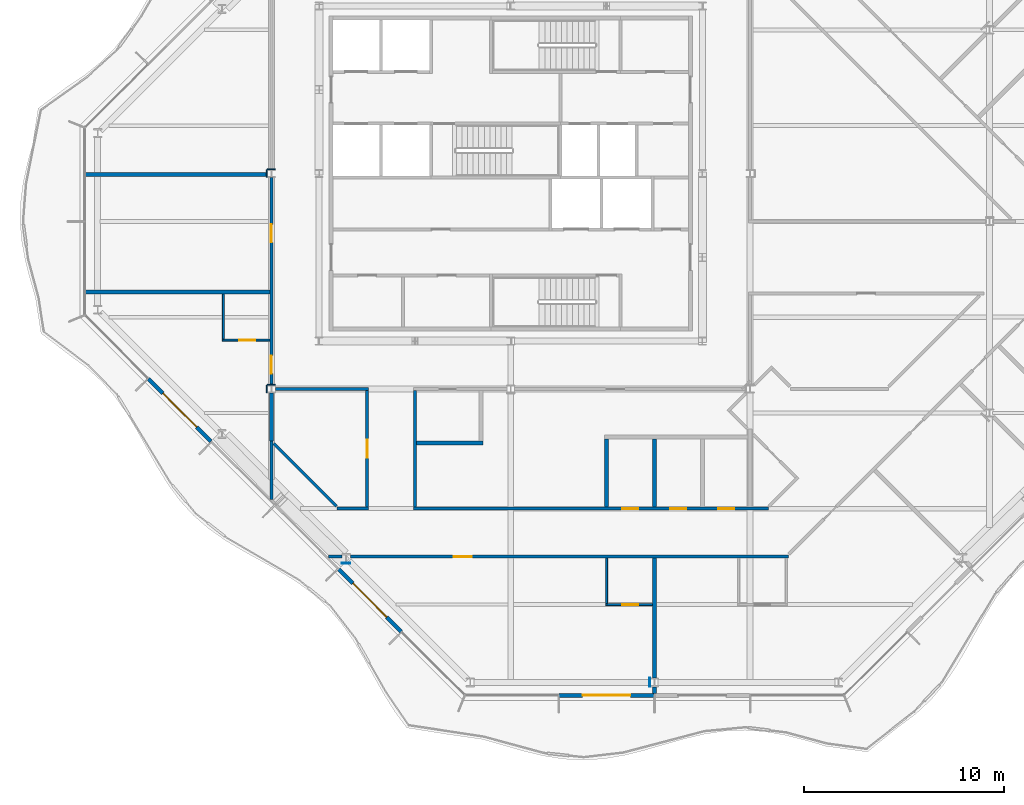
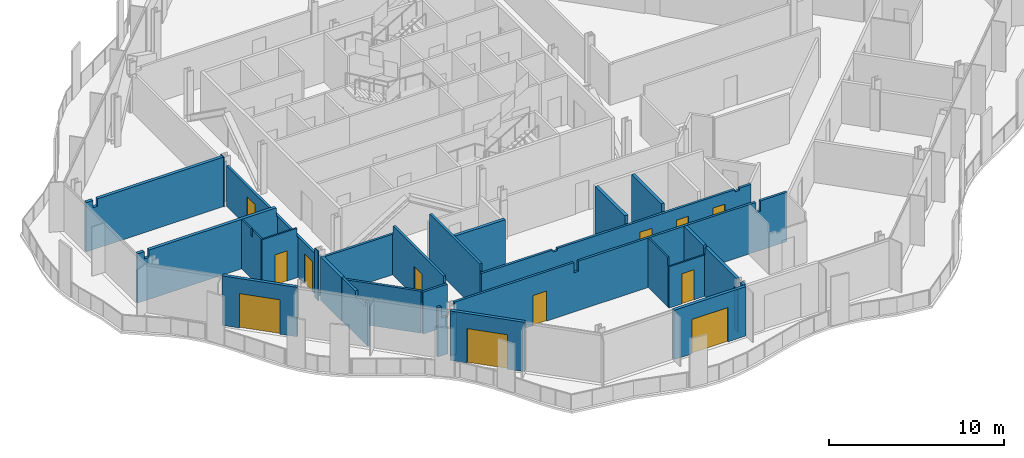
# One storey, part 7 of 17: 31 walls, 12 doors, 12 openings.
"""IFC4 building model written with IfcOpenShell, lengths in metres."""

from ifc_helpers import new_model, si_unit, direction, frame, frame_2d, origin, place, context, subcontext, project, spatial, polyline, rectangle, outline, extrude, material, layer, layer_set, type_object, element, fill, save


model = new_model("IFC4")

# Units and contexts
model_context = context("Model", 3, precision=1e-05, world=origin(), true_north=direction((0.0, 1.0)))
body_context = subcontext(model_context, "Body", "Model", "MODEL_VIEW")
ifc_project = project(units=[si_unit("LENGTHUNIT", "METRE"), si_unit("AREAUNIT", "SQUARE_METRE"), si_unit("VOLUMEUNIT", "CUBIC_METRE"), si_unit("PLANEANGLEUNIT", "RADIAN"), si_unit("MASSUNIT", "GRAM", prefix="KILO")], contexts=[model_context])

# Site, building, storey
site_placement = place(None, origin())
site = spatial("IfcSite", under=ifc_project, at=site_placement, CompositionType="ELEMENT")
building_placement = place(site_placement, origin())
building = spatial("IfcBuilding", under=site, at=building_placement, Name="Cairn Pilgrim Tower", CompositionType="ELEMENT")
storey_placement = place(building_placement, frame((0.0, 0.0, 217.800048828125)))
storey = spatial("IfcBuildingStorey", under=building, at=storey_placement, Name="L55", CompositionType="ELEMENT", Elevation=217.800048828125)

# Wall, opening, door
ifc_material_1 = material(Name="Bronze anodised aluminium insulated sandwich panel with mineral wool fill", Category="aluminium")
ifc_layer_1 = layer(ifc_material_1, 0.199951171875)
ifc_layer_set_1 = layer_set([ifc_layer_1], Name="BRONZE INFILL FRAME WALL 200")
wall_type_1 = type_object("IfcWallType", Name="BRONZE INFILL FRAME WALL 200", PredefinedType="NOTDEFINED", material=ifc_layer_set_1)
wall_1_placement = place(storey_placement, frame((9.6298828125, -23.75, 0.0), z_axis=(0.0, 0.0, 1.0), x_axis=(1.0, 0.0, 0.0)))
wall_1 = element("IfcWall", 1, at=wall_1_placement, inside=storey, type_object=wall_type_1, Name="Bronze infill frame wall IW-S2", PredefinedType="NOTDEFINED", context=body_context, shape_type="SweptSolid", body=[
    extrude(rectangle(XDim=4.740234375, YDim=0.199951171875, at=frame_2d((2.3701171875, 0.0))), origin(), (0.0, 0.0, 1.0), 3.449951171875),
])
opening_1_placement = place(wall_1_placement, frame((1.169921875, 0.0, 0.0)))
opening_1 = element("IfcOpeningElement", 2, at=opening_1_placement, cuts=wall_1, Name="Opening 5512B2", PredefinedType="OPENING", context=body_context, shape_type="SweptSolid", body=[
    extrude(rectangle(XDim=2.39990234375, YDim=2.39990234375, at=frame_2d((1.199951171875, 1.199951171875))), frame((0.0, 0.10986328125, 0.0), z_axis=(0.0, -1.0, 0.0), x_axis=(1.0, 0.0, 0.0)), (0.0, 0.0, 1.0), 0.219970703125),
])
ifc_material_2 = material(Name="Bronze anodised aluminium frame with tinted low-E glass", Category="aluminium")
door_type_1 = type_object("IfcDoorType", Name="BALCONY SLIDING DOOR 2400x2400", OperationType="DOUBLE_DOOR_SLIDING", PredefinedType="DOOR", material=ifc_material_2)
door_1_placement = place(opening_1_placement, origin())
door_1 = element("IfcDoor", 3, at=door_1_placement, inside=storey, type_object=door_type_1, Name="Balcony sliding door 5512B2", OperationType="SINGLE_SWING_LEFT", OverallHeight=2.39990234375, OverallWidth=2.39990234375, PredefinedType="DOOR", context=body_context, shape_type="SweptSolid", body=[
    extrude(rectangle(XDim=2.39990234375, YDim=2.39990234375, at=frame_2d((1.199951171875, 1.199951171875))), frame((0.0, 0.02490234375, 0.0), z_axis=(0.0, -1.0, 0.0), x_axis=(1.0, 0.0, 0.0)), (0.0, 0.0, 1.0), 0.050048828125),
])
fill(opening_1, door_1)

wall_2_placement = place(storey_placement, frame((-10.953125, -7.893310546875, 0.0), z_axis=(0.0, 0.0, 1.0), x_axis=(0.707106781187, -0.707106781187, 0.0)))
wall_2 = element("IfcWall", 4, at=wall_2_placement, inside=storey, type_object=wall_type_1, Name="Bronze infill frame wall IW-SW2", PredefinedType="NOTDEFINED", context=body_context, shape_type="SweptSolid", body=[
    extrude(rectangle(XDim=4.430908203125, YDim=0.199951171875, at=frame_2d((2.21533203125, 0.0))), origin(), (0.0, 0.0, 1.0), 3.449951171875),
])
opening_2_placement = place(wall_2_placement, frame((1.015380859375, 0.0, 0.0)))
opening_2 = element("IfcOpeningElement", 5, at=opening_2_placement, cuts=wall_2, Name="Opening 5511B", PredefinedType="OPENING", context=body_context, shape_type="SweptSolid", body=[
    extrude(rectangle(XDim=2.39990234375, YDim=2.39990234375, at=frame_2d((1.199951171875, 1.199951171875))), frame((0.0, 0.10986328125, 0.0), z_axis=(0.0, -1.0, 0.0), x_axis=(1.0, 0.0, 0.0)), (0.0, 0.0, 1.0), 0.219970703125),
])
door_2_placement = place(opening_2_placement, origin())
door_2 = element("IfcDoor", 6, at=door_2_placement, inside=storey, type_object=door_type_1, Name="Balcony sliding door 5511B", OperationType="SINGLE_SWING_LEFT", OverallHeight=2.39990234375, OverallWidth=2.39990234375, PredefinedType="DOOR", context=body_context, shape_type="SweptSolid", body=[
    extrude(rectangle(XDim=2.39990234375, YDim=2.39990234375, at=frame_2d((1.199951171875, 1.199951171875))), frame((0.0, 0.02490234375, 0.0), z_axis=(0.0, -1.0, 0.0), x_axis=(1.0, 0.0, 0.0)), (0.0, 0.0, 1.0), 0.050048828125),
])
fill(opening_2, door_2)

wall_3_placement = place(storey_placement, frame((-1.426513671875, -17.419921875, 0.0), z_axis=(0.0, 0.0, 1.0), x_axis=(0.707106781187, -0.707106781187, 0.0)))
wall_3 = element("IfcWall", 7, at=wall_3_placement, inside=storey, type_object=wall_type_1, Name="Bronze infill frame wall IW-SW5", PredefinedType="NOTDEFINED", context=body_context, shape_type="SweptSolid", body=[
    extrude(rectangle(XDim=4.43115234375, YDim=0.199951171875, at=frame_2d((2.215576171875, 0.0))), origin(), (0.0, 0.0, 1.0), 3.449951171875),
])
opening_3_placement = place(wall_3_placement, frame((1.01513671875, 0.0, 0.0)))
opening_3 = element("IfcOpeningElement", 8, at=opening_3_placement, cuts=wall_3, Name="Opening 5512B", PredefinedType="OPENING", context=body_context, shape_type="SweptSolid", body=[
    extrude(rectangle(XDim=2.39990234375, YDim=2.39990234375, at=frame_2d((1.199951171875, 1.199951171875))), frame((0.0, 0.10986328125, 0.0), z_axis=(0.0, -1.0, 0.0), x_axis=(1.0, 0.0, 0.0)), (0.0, 0.0, 1.0), 0.219970703125),
])
door_3_placement = place(opening_3_placement, origin())
door_3 = element("IfcDoor", 9, at=door_3_placement, inside=storey, type_object=door_type_1, Name="Balcony sliding door 5512B", OperationType="SINGLE_SWING_LEFT", OverallHeight=2.39990234375, OverallWidth=2.39990234375, PredefinedType="DOOR", context=body_context, shape_type="SweptSolid", body=[
    extrude(rectangle(XDim=2.39990234375, YDim=2.39990234375, at=frame_2d((1.199951171875, 1.199951171875))), frame((0.0, 0.02490234375, 0.0), z_axis=(0.0, -1.0, 0.0), x_axis=(1.0, 0.0, 0.0)), (0.0, 0.0, 1.0), 0.050048828125),
])
fill(opening_3, door_3)

ifc_material_3 = material(Name="Gypsum partition")
ifc_layer_2 = layer(ifc_material_3, 0.10009765625)
ifc_layer_set_2 = layer_set([ifc_layer_2], Name="PARTITION 100 DRYWALL")
wall_type_2 = type_object("IfcWallType", Name="PARTITION 100 DRYWALL", PredefinedType="PARTITIONING", material=ifc_layer_set_2)
wall_4_placement = place(storey_placement, frame((11.949951171875, -19.199951171875, 0.0), z_axis=(0.0, 0.0, 1.0), x_axis=(1.0, 0.0, 0.0)))
wall_4 = element("IfcWall", 10, at=wall_4_placement, inside=storey, type_object=wall_type_2, Name="PARTITION W003", PredefinedType="PARTITIONING", context=body_context, shape_type="SweptSolid", body=[
    extrude(rectangle(XDim=2.35009765625, YDim=0.10009765625, at=frame_2d((1.175048828125, 0.0))), origin(), (0.0, 0.0, 1.0), 2.8798828125),
])
opening_4_placement = place(wall_4_placement, frame((0.85009765625, 0.0, 0.0)))
opening_4 = element("IfcOpeningElement", 11, at=opening_4_placement, cuts=wall_4, Name="Opening 5512A", PredefinedType="OPENING", context=body_context, shape_type="SweptSolid", body=[
    extrude(rectangle(XDim=0.800048828125, YDim=2.10009765625, at=frame_2d((0.39990234375, 1.050048828125))), frame((0.0, 0.06005859375, 0.0), z_axis=(0.0, -1.0, 0.0), x_axis=(1.0, 0.0, 0.0)), (0.0, 0.0, 1.0), 0.1201171875),
])
ifc_material_4 = material(Name="Timber door leaf", Category="wood")
door_type_2 = type_object("IfcDoorType", Name="WC DOOR 800x2100", OperationType="NOTDEFINED", PredefinedType="DOOR", material=ifc_material_4)
door_4_placement = place(opening_4_placement, frame((0.800048828125, 0.0, 0.0), z_axis=(0.0, 0.0, 1.0), x_axis=(-1.0, 0.0, 0.0)))
door_4 = element("IfcDoor", 12, at=door_4_placement, inside=storey, type_object=door_type_2, Name="DOOR 5512A", OperationType="SINGLE_SWING_RIGHT", OverallHeight=2.10009765625, OverallWidth=0.800048828125, PredefinedType="DOOR", context=body_context, shape_type="SweptSolid", body=[
    extrude(rectangle(XDim=0.800048828125, YDim=2.10009765625, at=frame_2d((0.39990234375, 1.050048828125))), frame((0.0, 0.02490234375, 0.0), z_axis=(0.0, -1.0, 0.0), x_axis=(1.0, 0.0, 0.0)), (0.0, 0.0, 1.0), 0.050048828125),
])
fill(opening_4, door_4)

# Wall
wall_5_placement = place(storey_placement, frame((12.0, -19.14990234375, 0.0), z_axis=(0.0, 0.0, 1.0), x_axis=(0.0, 1.0, 0.0)))
element("IfcWall", 13, at=wall_5_placement, inside=storey, type_object=wall_type_2, Name="PARTITION W005", PredefinedType="PARTITIONING", context=body_context, shape_type="SweptSolid", body=[
    extrude(outline(polyline([(0.0, 0.0), (2.27490234375, 0.0), (2.27490234375, 3.449951171875), (0.054931640625, 3.449951171875), (0.052978515625, 2.8798828125), (0.0, 2.8798828125), (0.0, 0.0)])), frame((0.0, 0.050048828125, 0.0), z_axis=(0.0, -1.0, 0.0), x_axis=(1.0, 0.0, 0.0)), (0.0, 0.0, 1.0), 0.10009765625),
])

# Wall, opening, door
wall_6_placement = place(storey_placement, frame((-7.25, -5.944091796875, 0.0), z_axis=(0.0, 0.0, 1.0), x_axis=(1.0, 0.0, 0.0)))
wall_6 = element("IfcWall", 14, at=wall_6_placement, inside=storey, type_object=wall_type_2, Name="PARTITION W044", PredefinedType="PARTITIONING", context=body_context, shape_type="SweptSolid", body=[
    extrude(outline(polyline([(0.0, 0.0), (2.375, 0.0), (2.375, 2.829833984375), (2.300048828125, 2.829833984375), (2.298095703125, 3.449951171875), (0.0, 3.449951171875), (0.0, 0.0)])), frame((0.0, 0.050048828125, 0.0), z_axis=(0.0, -1.0, 0.0), x_axis=(1.0, 0.0, 0.0)), (0.0, 0.0, 1.0), 0.10009765625),
])
opening_5_placement = place(wall_6_placement, frame((0.85009765625, 0.0, 0.0)))
opening_5 = element("IfcOpeningElement", 15, at=opening_5_placement, cuts=wall_6, Name="Opening 5511A", PredefinedType="OPENING", context=body_context, shape_type="SweptSolid", body=[
    extrude(rectangle(XDim=0.800048828125, YDim=2.10009765625, at=frame_2d((0.39990234375, 1.050048828125))), frame((0.0, 0.06005859375, 0.0), z_axis=(0.0, -1.0, 0.0), x_axis=(1.0, 0.0, 0.0)), (0.0, 0.0, 1.0), 0.1201171875),
])
door_5_placement = place(opening_5_placement, frame((0.800048828125, 0.0, 0.0), z_axis=(0.0, 0.0, 1.0), x_axis=(-1.0, 0.0, 0.0)))
door_5 = element("IfcDoor", 16, at=door_5_placement, inside=storey, type_object=door_type_2, Name="DOOR 5511A", OperationType="SINGLE_SWING_RIGHT", OverallHeight=2.10009765625, OverallWidth=0.800048828125, PredefinedType="DOOR", context=body_context, shape_type="SweptSolid", body=[
    extrude(rectangle(XDim=0.800048828125, YDim=2.10009765625, at=frame_2d((0.39990234375, 1.050048828125))), frame((0.0, 0.02490234375, 0.0), z_axis=(0.0, -1.0, 0.0), x_axis=(1.0, 0.0, 0.0)), (0.0, 0.0, 1.0), 0.050048828125),
])
fill(opening_5, door_5)

# Walls
wall_7_placement = place(storey_placement, frame((-7.199951171875, -5.89404296875, 0.0), z_axis=(0.0, 0.0, 1.0), x_axis=(0.0, 1.0, 0.0)))
element("IfcWall", 17, at=wall_7_placement, inside=storey, type_object=wall_type_2, Name="PARTITION W045", PredefinedType="PARTITIONING", context=body_context, shape_type="SweptSolid", body=[
    extrude(outline(polyline([(0.0, 0.0), (2.25, 0.0), (2.25, 3.449951171875), (1.18896484375, 3.449951171875), (1.18701171875, 2.97998046875), (0.9990234375, 2.97998046875), (0.9970703125, 3.449951171875), (0.0, 3.449951171875), (0.0, 0.0)])), frame((0.0, 0.050048828125, 0.0), z_axis=(0.0, -1.0, 0.0), x_axis=(1.0, 0.0, 0.0)), (0.0, 0.0, 1.0), 0.10009765625),
])
ifc_layer_3 = layer(ifc_material_3, 0.14990234375)
ifc_layer_set_3 = layer_set([ifc_layer_3], Name="PARTITION 150 DRYWALL EI 60")
wall_type_3 = type_object("IfcWallType", Name="PARTITION 150 DRYWALL EI 60", PredefinedType="PARTITIONING", material=ifc_layer_set_3)
wall_8_placement = place(storey_placement, frame((-1.926025390625, -16.800048828125, 0.0), z_axis=(0.0, 0.0, 1.0), x_axis=(1.0, 0.0, 0.0)))
element("IfcWall", 18, at=wall_8_placement, inside=storey, type_object=wall_type_3, Name="PARTITION W009", PredefinedType="PARTITIONING", context=body_context, shape_type="SweptSolid", body=[
    extrude(outline(polyline([(0.0, 0.0), (0.66650390625, 0.0), (0.66650390625, 2.6298828125), (0.22900390625, 2.6298828125), (0.226806640625, 3.449951171875), (0.0, 3.449951171875), (0.0, 0.0)])), frame((0.0, 0.074951171875, 0.0), z_axis=(0.0, -1.0, 0.0), x_axis=(1.0, 0.0, 0.0)), (0.0, 0.0, 1.0), 0.14990234375),
])

# Wall, opening, door
wall_9_placement = place(storey_placement, frame((-0.843505859375, -16.800048828125, 0.0), z_axis=(0.0, 0.0, 1.0), x_axis=(1.0, 0.0, 0.0)))
wall_9 = element("IfcWall", 19, at=wall_9_placement, inside=storey, type_object=wall_type_3, Name="PARTITION W010", PredefinedType="PARTITIONING", context=body_context, shape_type="SweptSolid", body=[
    extrude(outline(polyline([(0.0, 0.0), (21.967529296875, 0.0), (21.967529296875, 3.449951171875), (20.193603515625, 3.449951171875), (20.19140625, 2.72998046875), (19.8935546875, 2.72998046875), (19.8916015625, 3.449951171875), (8.193603515625, 3.449951171875), (8.19140625, 2.72998046875), (7.8935546875, 2.72998046875), (7.8916015625, 3.449951171875), (0.0, 3.449951171875), (0.0, 0.0)])), frame((0.0, 0.074951171875, 0.0), z_axis=(0.0, -1.0, 0.0), x_axis=(1.0, 0.0, 0.0)), (0.0, 0.0, 1.0), 0.14990234375),
])
opening_6_placement = place(wall_9_placement, frame((5.193603515625, 0.0, 0.0)))
opening_6 = element("IfcOpeningElement", 20, at=opening_6_placement, cuts=wall_9, Name="Opening 5512", PredefinedType="OPENING", context=body_context, shape_type="SweptSolid", body=[
    extrude(rectangle(XDim=0.89990234375, YDim=2.10009765625, at=frame_2d((0.449951171875, 1.050048828125))), frame((0.0, 0.0849609375, 0.0), z_axis=(0.0, -1.0, 0.0), x_axis=(1.0, 0.0, 0.0)), (0.0, 0.0, 1.0), 0.169921875),
])
door_type_3 = type_object("IfcDoorType", Name="ROOM DOOR 900x2100 FD30S", OperationType="NOTDEFINED", PredefinedType="DOOR", material=ifc_material_4)
door_6_placement = place(opening_6_placement, frame((0.89990234375, 0.0, 0.0), z_axis=(0.0, 0.0, 1.0), x_axis=(-1.0, 0.0, 0.0)))
door_6 = element("IfcDoor", 21, at=door_6_placement, inside=storey, type_object=door_type_3, Name="DOOR 5512", OperationType="SINGLE_SWING_RIGHT", OverallHeight=2.10009765625, OverallWidth=0.89990234375, PredefinedType="DOOR", context=body_context, shape_type="SweptSolid", body=[
    extrude(rectangle(XDim=0.89990234375, YDim=2.10009765625, at=frame_2d((0.449951171875, 1.050048828125))), frame((0.0, 0.02490234375, 0.0), z_axis=(0.0, -1.0, 0.0), x_axis=(1.0, 0.0, 0.0)), (0.0, 0.0, 1.0), 0.050048828125),
])
fill(opening_6, door_6)

# Wall
wall_10_placement = place(storey_placement, frame((-1.51220703125, -14.39990234375, 0.0), z_axis=(0.0, 0.0, 1.0), x_axis=(1.0, 0.0, 0.0)))
element("IfcWall", 22, at=wall_10_placement, inside=storey, type_object=wall_type_3, Name="PARTITION W013", PredefinedType="PARTITIONING", context=body_context, shape_type="SweptSolid", body=[
    extrude(rectangle(XDim=1.587158203125, YDim=0.14990234375, at=frame_2d((0.79345703125, 0.0))), origin(), (0.0, 0.0, 1.0), 2.929931640625),
])

# Wall, openings, doors
wall_11_placement = place(storey_placement, frame((2.324951171875, -14.39990234375, 0.0), z_axis=(0.0, 0.0, 1.0), x_axis=(1.0, 0.0, 0.0)))
wall_11 = element("IfcWall", 23, at=wall_11_placement, inside=storey, type_object=wall_type_3, Name="PARTITION W014", PredefinedType="PARTITIONING", context=body_context, shape_type="SweptSolid", body=[
    extrude(outline(polyline([(0.0, 0.0), (17.80419921875, 0.0), (17.80419921875, 2.8798828125), (17.02490234375, 2.8798828125), (17.02294921875, 2.72998046875), (16.72509765625, 2.72998046875), (16.722900390625, 2.8798828125), (5.02490234375, 2.8798828125), (5.02294921875, 2.72998046875), (4.72509765625, 2.72998046875), (4.722900390625, 2.8798828125), (0.0, 2.8798828125), (0.0, 0.0)])), frame((0.0, 0.074951171875, 0.0), z_axis=(0.0, -1.0, 0.0), x_axis=(1.0, 0.0, 0.0)), (0.0, 0.0, 1.0), 0.14990234375),
])
opening_7_placement = place(wall_11_placement, frame((15.27490234375, 0.0, 0.0)))
opening_7 = element("IfcOpeningElement", 24, at=opening_7_placement, cuts=wall_11, Name="Opening 5514", PredefinedType="OPENING", context=body_context, shape_type="SweptSolid", body=[
    extrude(rectangle(XDim=0.800048828125, YDim=2.10009765625, at=frame_2d((0.39990234375, 1.050048828125))), frame((0.0, 0.0849609375, 0.0), z_axis=(0.0, -1.0, 0.0), x_axis=(1.0, 0.0, 0.0)), (0.0, 0.0, 1.0), 0.169921875),
])
opening_8_placement = place(wall_11_placement, frame((12.875, 0.0, 0.0)))
opening_8 = element("IfcOpeningElement", 25, at=opening_8_placement, cuts=wall_11, Name="Opening 5515", PredefinedType="OPENING", context=body_context, shape_type="SweptSolid", body=[
    extrude(rectangle(XDim=0.800048828125, YDim=2.10009765625, at=frame_2d((0.39990234375, 1.050048828125))), frame((0.0, 0.0849609375, 0.0), z_axis=(0.0, -1.0, 0.0), x_axis=(1.0, 0.0, 0.0)), (0.0, 0.0, 1.0), 0.169921875),
])
opening_9_placement = place(wall_11_placement, frame((10.47509765625, 0.0, 0.0)))
opening_9 = element("IfcOpeningElement", 26, at=opening_9_placement, cuts=wall_11, Name="Opening 5516", PredefinedType="OPENING", context=body_context, shape_type="SweptSolid", body=[
    extrude(rectangle(XDim=0.800048828125, YDim=2.10009765625, at=frame_2d((0.39990234375, 1.050048828125))), frame((0.0, 0.0849609375, 0.0), z_axis=(0.0, -1.0, 0.0), x_axis=(1.0, 0.0, 0.0)), (0.0, 0.0, 1.0), 0.169921875),
])
door_type_4 = type_object("IfcDoorType", Name="WC DOOR 800x2100 FD30S", OperationType="NOTDEFINED", PredefinedType="DOOR", material=ifc_material_4)
door_7_placement = place(opening_7_placement, origin())
door_7 = element("IfcDoor", 27, at=door_7_placement, inside=storey, type_object=door_type_4, Name="DOOR 5514", OperationType="SINGLE_SWING_RIGHT", OverallHeight=2.10009765625, OverallWidth=0.800048828125, PredefinedType="DOOR", context=body_context, shape_type="SweptSolid", body=[
    extrude(rectangle(XDim=0.800048828125, YDim=2.10009765625, at=frame_2d((0.39990234375, 1.050048828125))), frame((0.0, 0.02490234375, 0.0), z_axis=(0.0, -1.0, 0.0), x_axis=(1.0, 0.0, 0.0)), (0.0, 0.0, 1.0), 0.050048828125),
])
fill(opening_7, door_7)
door_8_placement = place(opening_8_placement, origin())
door_8 = element("IfcDoor", 28, at=door_8_placement, inside=storey, type_object=door_type_4, Name="DOOR 5515", OperationType="SINGLE_SWING_RIGHT", OverallHeight=2.10009765625, OverallWidth=0.800048828125, PredefinedType="DOOR", context=body_context, shape_type="SweptSolid", body=[
    extrude(rectangle(XDim=0.800048828125, YDim=2.10009765625, at=frame_2d((0.39990234375, 1.050048828125))), frame((0.0, 0.02490234375, 0.0), z_axis=(0.0, -1.0, 0.0), x_axis=(1.0, 0.0, 0.0)), (0.0, 0.0, 1.0), 0.050048828125),
])
fill(opening_8, door_8)
door_9_placement = place(opening_9_placement, origin())
door_9 = element("IfcDoor", 29, at=door_9_placement, inside=storey, type_object=door_type_4, Name="DOOR 5516", OperationType="SINGLE_SWING_RIGHT", OverallHeight=2.10009765625, OverallWidth=0.800048828125, PredefinedType="DOOR", context=body_context, shape_type="SweptSolid", body=[
    extrude(rectangle(XDim=0.800048828125, YDim=2.10009765625, at=frame_2d((0.39990234375, 1.050048828125))), frame((0.0, 0.02490234375, 0.0), z_axis=(0.0, -1.0, 0.0), x_axis=(1.0, 0.0, 0.0)), (0.0, 0.0, 1.0), 0.050048828125),
])
fill(opening_9, door_9)

# Wall
wall_12_placement = place(storey_placement, frame((-1.533935546875, -14.27197265625, 0.0), z_axis=(0.0, 0.0, 1.0), x_axis=(-0.707134287042, 0.707079274261, 0.0)))
element("IfcWall", 30, at=wall_12_placement, inside=storey, type_object=wall_type_3, Name="PARTITION W015", PredefinedType="PARTITIONING", context=body_context, shape_type="SweptSolid", body=[
    extrude(rectangle(XDim=4.43798828125, YDim=0.14990234375, at=frame_2d((2.218994140625, 0.0))), origin(), (0.0, 0.0, 1.0), 2.929931640625),
])

# Wall, opening, door
wall_13_placement = place(storey_placement, frame((0.0, -14.324951171875, 0.0), z_axis=(0.0, 0.0, 1.0), x_axis=(0.0, 1.0, 0.0)))
wall_13 = element("IfcWall", 31, at=wall_13_placement, inside=storey, type_object=wall_type_3, Name="PARTITION W016", PredefinedType="PARTITIONING", context=body_context, shape_type="SweptSolid", body=[
    extrude(outline(polyline([(0.0, 0.0), (5.849853515625, 0.0), (5.85009765625, 2.829833984375), (5.77490234375, 2.829833984375), (5.77294921875, 3.449951171875), (0.02490234375, 3.449951171875), (0.02294921875, 2.929931640625), (0.0, 2.929931640625), (0.0, 0.0)])), frame((0.0, 0.074951171875, 0.0), z_axis=(0.0, -1.0, 0.0), x_axis=(1.0, 0.0, 0.0)), (0.0, 0.0, 1.0), 0.14990234375),
])
opening_10_placement = place(wall_13_placement, frame((2.47509765625, 0.0, 0.0)))
opening_10 = element("IfcOpeningElement", 32, at=opening_10_placement, cuts=wall_13, Name="Opening 5520", PredefinedType="OPENING", context=body_context, shape_type="SweptSolid", body=[
    extrude(rectangle(XDim=0.89990234375, YDim=2.10009765625, at=frame_2d((0.449951171875, 1.050048828125))), frame((0.0, 0.0849609375, 0.0), z_axis=(0.0, -1.0, 0.0), x_axis=(1.0, 0.0, 0.0)), (0.0, 0.0, 1.0), 0.169921875),
])
door_type_5 = type_object("IfcDoorType", Name="SERVICE DOOR 900x2100 FD30S", OperationType="NOTDEFINED", PredefinedType="DOOR", material=ifc_material_4)
door_10_placement = place(opening_10_placement, origin())
door_10 = element("IfcDoor", 33, at=door_10_placement, inside=storey, type_object=door_type_5, Name="DOOR 5520", OperationType="SINGLE_SWING_LEFT", OverallHeight=2.10009765625, OverallWidth=0.89990234375, PredefinedType="DOOR", context=body_context, shape_type="SweptSolid", body=[
    extrude(rectangle(XDim=0.89990234375, YDim=2.10009765625, at=frame_2d((0.449951171875, 1.050048828125))), frame((0.0, 0.02490234375, 0.0), z_axis=(0.0, -1.0, 0.0), x_axis=(1.0, 0.0, 0.0)), (0.0, 0.0, 1.0), 0.050048828125),
])
fill(opening_10, door_10)

# Walls
wall_14_placement = place(storey_placement, frame((2.39990234375, -14.324951171875, 0.0), z_axis=(0.0, 0.0, 1.0), x_axis=(0.0, 1.0, 0.0)))
element("IfcWall", 34, at=wall_14_placement, inside=storey, type_object=wall_type_3, Name="PARTITION W017", PredefinedType="PARTITIONING", context=body_context, shape_type="SweptSolid", body=[
    extrude(outline(polyline([(0.0, 0.0), (5.849853515625, 0.0), (5.85009765625, 2.829833984375), (5.77490234375, 2.829833984375), (5.77294921875, 3.449951171875), (0.02490234375, 3.449951171875), (0.02294921875, 2.929931640625), (0.0, 2.929931640625), (0.0, 0.0)])), frame((0.0, 0.074951171875, 0.0), z_axis=(0.0, -1.0, 0.0), x_axis=(1.0, 0.0, 0.0)), (0.0, 0.0, 1.0), 0.14990234375),
])
wall_15_placement = place(storey_placement, frame((-4.800048828125, -13.926025390625, 0.0), z_axis=(0.0, 0.0, 1.0), x_axis=(0.0, 1.0, 0.0)))
element("IfcWall", 35, at=wall_15_placement, inside=storey, type_object=wall_type_3, Name="PARTITION W023", PredefinedType="PARTITIONING", context=body_context, shape_type="SweptSolid", body=[
    extrude(outline(polyline([(0.0, 0.0), (2.919921875, 0.0), (2.920166015625, 3.030029296875), (1.368896484375, 3.030029296875), (1.366943359375, 2.6298828125), (0.22900390625, 2.6298828125), (0.226806640625, 3.030029296875), (0.0, 3.030029296875), (0.0, 0.0)])), frame((0.0, 0.074951171875, 0.0), z_axis=(0.0, -1.0, 0.0), x_axis=(1.0, 0.0, 0.0)), (0.0, 0.0, 1.0), 0.14990234375),
])
wall_16_placement = place(storey_placement, frame((-4.6005859375, -8.39990234375, 0.0), z_axis=(0.0, 0.0, 1.0), x_axis=(1.0, 0.0, 0.0)))
element("IfcWall", 36, at=wall_16_placement, inside=storey, type_object=wall_type_3, Name="PARTITION W035", PredefinedType="PARTITIONING", context=body_context, shape_type="SweptSolid", body=[
    extrude(rectangle(XDim=4.675537109375, YDim=0.14990234375, at=frame_2d((2.337890625, 0.0))), origin(), (0.0, 0.0, 1.0), 2.829833984375),
])

# Wall, openings, doors
wall_17_placement = place(storey_placement, frame((-4.800048828125, -8.20361328125, 0.0), z_axis=(0.0, 0.0, 1.0), x_axis=(0.0, 1.0, 0.0)))
wall_17 = element("IfcWall", 37, at=wall_17_placement, inside=storey, type_object=wall_type_3, Name="PARTITION W041", PredefinedType="PARTITIONING", context=body_context, shape_type="SweptSolid", body=[
    extrude(rectangle(XDim=10.4072265625, YDim=0.14990234375, at=frame_2d((5.20361328125, 0.0))), origin(), (0.0, 0.0, 1.0), 2.829833984375),
])
opening_11_placement = place(wall_17_placement, frame((7.153564453125, 0.0, 0.0)))
opening_11 = element("IfcOpeningElement", 38, at=opening_11_placement, cuts=wall_17, Name="Opening 5510", PredefinedType="OPENING", context=body_context, shape_type="SweptSolid", body=[
    extrude(rectangle(XDim=0.89990234375, YDim=2.10009765625, at=frame_2d((0.449951171875, 1.050048828125))), frame((0.0, 0.0849609375, 0.0), z_axis=(0.0, -1.0, 0.0), x_axis=(1.0, 0.0, 0.0)), (0.0, 0.0, 1.0), 0.169921875),
])
opening_12_placement = place(wall_17_placement, frame((0.58154296875, 0.0, 0.0)))
opening_12 = element("IfcOpeningElement", 39, at=opening_12_placement, cuts=wall_17, Name="Opening 5511", PredefinedType="OPENING", context=body_context, shape_type="SweptSolid", body=[
    extrude(rectangle(XDim=0.89990234375, YDim=2.10009765625, at=frame_2d((0.449951171875, 1.050048828125))), frame((0.0, 0.0849609375, 0.0), z_axis=(0.0, -1.0, 0.0), x_axis=(1.0, 0.0, 0.0)), (0.0, 0.0, 1.0), 0.169921875),
])
door_11_placement = place(opening_12_placement, origin())
door_11 = element("IfcDoor", 40, at=door_11_placement, inside=storey, type_object=door_type_3, Name="DOOR 5511", OperationType="SINGLE_SWING_RIGHT", OverallHeight=2.10009765625, OverallWidth=0.89990234375, PredefinedType="DOOR", context=body_context, shape_type="SweptSolid", body=[
    extrude(rectangle(XDim=0.89990234375, YDim=2.10009765625, at=frame_2d((0.449951171875, 1.050048828125))), frame((0.0, 0.02490234375, 0.0), z_axis=(0.0, -1.0, 0.0), x_axis=(1.0, 0.0, 0.0)), (0.0, 0.0, 1.0), 0.050048828125),
])
fill(opening_12, door_11)
door_12_placement = place(opening_11_placement, origin())
door_12 = element("IfcDoor", 41, at=door_12_placement, inside=storey, type_object=door_type_5, Name="DOOR 5510", OperationType="SINGLE_SWING_RIGHT", OverallHeight=2.10009765625, OverallWidth=0.89990234375, PredefinedType="DOOR", context=body_context, shape_type="SweptSolid", body=[
    extrude(rectangle(XDim=0.89990234375, YDim=2.10009765625, at=frame_2d((0.449951171875, 1.050048828125))), frame((0.0, 0.02490234375, 0.0), z_axis=(0.0, -1.0, 0.0), x_axis=(1.0, 0.0, 0.0)), (0.0, 0.0, 1.0), 0.050048828125),
])
fill(opening_11, door_12)

# Walls
ifc_layer_4 = layer(ifc_material_3, 0.050048828125)
ifc_layer_set_4 = layer_set([ifc_layer_4], Name="PARTITION 50 DRYWALL EI 60")
wall_type_4 = type_object("IfcWallType", Name="PARTITION 50 DRYWALL EI 60", PredefinedType="PARTITIONING", material=ifc_layer_set_4)
wall_18_placement = place(storey_placement, frame((14.1669921875, -23.322998046875, 0.0), z_axis=(0.0, 0.0, 1.0), x_axis=(0.0, 1.0, 0.0)))
element("IfcWall", 42, at=wall_18_placement, inside=storey, type_object=wall_type_4, Name="COLUMN CASING WC01", PredefinedType="PARTITIONING", context=body_context, shape_type="SweptSolid", body=[
    extrude(rectangle(XDim=0.446044921875, YDim=0.050048828125, at=frame_2d((0.22314453125, 0.0))), origin(), (0.0, 0.0, 1.0), 2.929931640625),
])
wall_19_placement = place(storey_placement, frame((-1.259521484375, -17.123779296875, 0.0), z_axis=(0.0, 0.0, 1.0), x_axis=(1.0, 0.0, 0.0)))
element("IfcWall", 43, at=wall_19_placement, inside=storey, type_object=wall_type_4, Name="COLUMN CASING WC03", PredefinedType="PARTITIONING", context=body_context, shape_type="SweptSolid", body=[
    extrude(rectangle(XDim=0.416015625, YDim=0.050048828125, at=frame_2d((0.2080078125, 0.0))), origin(), (0.0, 0.0, 1.0), 2.929931640625),
])
for number, where, z_axis, x_axis, name in (
    (44, (-5.0244140625, -8.596435546875, 0.0), (0.0, 0.0, 1.0), (0.0, 1.0, 0.0), "COLUMN CASING WC06"),
    (45, (-5.0244140625, 2.20361328125, 0.0), (0.0, 0.0, 1.0), (0.0, 1.0, 0.0), "COLUMN CASING WC08"),
):
    element("IfcWall", number, at=place(storey_placement, frame(where, z_axis=z_axis, x_axis=x_axis)), inside=storey, type_object=wall_type_4, Name=name, PredefinedType="PARTITIONING", context=body_context, shape_type="SweptSolid", body=[
        extrude(rectangle(XDim=0.392822265625, YDim=0.050048828125, at=frame_2d((0.1962890625, 0.0))), origin(), (0.0, 0.0, 1.0), 3.449951171875),
    ])
for number, where, z_axis, x_axis, name in (
    (46, (-4.99951171875, -8.178466796875, 0.0), (0.0, 0.0, 1.0), (1.0, 0.0, 0.0), "COLUMN CASING WC10"),
    (47, (-4.99951171875, 2.62158203125, 0.0), (0.0, 0.0, 1.0), (1.0, 0.0, 0.0), "COLUMN CASING WC18"),
):
    element("IfcWall", number, at=place(storey_placement, frame(where, z_axis=z_axis, x_axis=x_axis)), inside=storey, type_object=wall_type_4, Name=name, PredefinedType="PARTITIONING", context=body_context, shape_type="SweptSolid", body=[
        extrude(rectangle(XDim=0.39892578125, YDim=0.050048828125, at=frame_2d((0.199462890625, 0.0))), origin(), (0.0, 0.0, 1.0), 2.829833984375),
    ])
ifc_layer_5 = layer(ifc_material_3, 0.199951171875)
ifc_layer_set_5 = layer_set([ifc_layer_5], Name="SHAFT WALL 200 GYPSUM EI 60")
wall_type_5 = type_object("IfcWallType", Name="SHAFT WALL 200 GYPSUM EI 60", PredefinedType="PARTITIONING", material=ifc_layer_set_5)
wall_20_placement = place(storey_placement, frame((14.39990234375, -23.64990234375, 0.0), z_axis=(0.0, 0.0, 1.0), x_axis=(0.0, 1.0, 0.0)))
element("IfcWall", 48, at=wall_20_placement, inside=storey, type_object=wall_type_5, Name="PARTITION W001", PredefinedType="PARTITIONING", context=body_context, shape_type="SweptSolid", body=[
    extrude(rectangle(XDim=0.326904296875, YDim=0.199951171875, at=frame_2d((0.16357421875, 0.0))), origin(), (0.0, 0.0, 1.0), 3.449951171875),
])
wall_21_placement = place(storey_placement, frame((14.39990234375, -22.876953125, 0.0), z_axis=(0.0, 0.0, 1.0), x_axis=(0.0, 1.0, 0.0)))
element("IfcWall", 49, at=wall_21_placement, inside=storey, type_object=wall_type_5, Name="PARTITION W002", PredefinedType="PARTITIONING", context=body_context, shape_type="SweptSolid", body=[
    extrude(outline(polyline([(0.0, 0.0), (6.001953125, 0.0), (6.001953125, 3.449951171875), (3.781982421875, 3.449951171875), (3.780029296875, 2.8798828125), (3.572021484375, 2.8798828125), (3.570068359375, 3.449951171875), (0.0, 3.449951171875), (0.0, 0.0)])), frame((0.0, 0.10009765625, 0.0), z_axis=(0.0, -1.0, 0.0), x_axis=(1.0, 0.0, 0.0)), (0.0, 0.0, 1.0), 0.199951171875),
])
for number, where, z_axis, x_axis, name in (
    (50, (12.0, -14.324951171875, 0.0), (0.0, 0.0, 1.0), (0.0, 1.0, 0.0), "PARTITION W018"),
    (51, (14.39990234375, -14.324951171875, 0.0), (0.0, 0.0, 1.0), (0.0, 1.0, 0.0), "PARTITION W019"),
):
    element("IfcWall", number, at=place(storey_placement, frame(where, z_axis=z_axis, x_axis=x_axis)), inside=storey, type_object=wall_type_5, Name=name, PredefinedType="PARTITIONING", context=body_context, shape_type="SweptSolid", body=[
        extrude(outline(polyline([(0.0, 0.0), (3.425048828125, 0.0), (3.425048828125, 3.449951171875), (0.030029296875, 3.449951171875), (0.028076171875, 2.8798828125), (0.0, 2.8798828125), (0.0, 0.0)])), frame((0.0, 0.10009765625, 0.0), z_axis=(0.0, -1.0, 0.0), x_axis=(1.0, 0.0, 0.0)), (0.0, 0.0, 1.0), 0.199951171875),
    ])
wall_22_placement = place(storey_placement, frame((2.47509765625, -11.10009765625, 0.0), z_axis=(0.0, 0.0, 1.0), x_axis=(1.0, 0.0, 0.0)))
element("IfcWall", 52, at=wall_22_placement, inside=storey, type_object=wall_type_5, Name="PARTITION W026", PredefinedType="PARTITIONING", context=body_context, shape_type="SweptSolid", body=[
    extrude(rectangle(XDim=3.324951171875, YDim=0.199951171875, at=frame_2d((1.66259765625, 0.0))), origin(), (0.0, 0.0, 1.0), 3.449951171875),
])
wall_23_placement = place(storey_placement, frame((-4.800048828125, -11.006103515625, 0.0), z_axis=(0.0, 0.0, 1.0), x_axis=(0.0, 1.0, 0.0)))
element("IfcWall", 53, at=wall_23_placement, inside=storey, type_object=wall_type_5, Name="PARTITION W028", PredefinedType="PARTITIONING", context=body_context, shape_type="SweptSolid", body=[
    extrude(rectangle(XDim=2.40966796875, YDim=0.199951171875, at=frame_2d((1.204833984375, 0.0))), origin(), (0.0, 0.0, 1.0), 3.030029296875),
])
wall_24_placement = place(storey_placement, frame((-14.10302734375, -3.5439453125, 0.0), z_axis=(0.0, 0.0, 1.0), x_axis=(1.0, 0.0, 0.0)))
element("IfcWall", 54, at=wall_24_placement, inside=storey, type_object=wall_type_5, Name="PARTITION W049", PredefinedType="PARTITIONING", context=body_context, shape_type="SweptSolid", body=[
    extrude(outline(polyline([(0.0, 0.0), (9.22802734375, 0.0), (9.22802734375, 2.829833984375), (9.153076171875, 2.829833984375), (9.15087890625, 3.449951171875), (0.7529296875, 3.449951171875), (0.7509765625, 2.929931640625), (0.452880859375, 2.929931640625), (0.450927734375, 3.449951171875), (0.0, 3.449951171875), (0.0, 0.0)])), frame((0.0, 0.10009765625, 0.0), z_axis=(0.0, -1.0, 0.0), x_axis=(1.0, 0.0, 0.0)), (0.0, 0.0, 1.0), 0.199951171875),
])
wall_25_placement = place(storey_placement, frame((-14.10302734375, 2.343994140625, 0.0), z_axis=(0.0, 0.0, 1.0), x_axis=(1.0, 0.0, 0.0)))
element("IfcWall", 55, at=wall_25_placement, inside=storey, type_object=wall_type_5, Name="PARTITION W058", PredefinedType="PARTITIONING", context=body_context, shape_type="SweptSolid", body=[
    extrude(outline(polyline([(0.0, 0.0), (9.103515625, 0.0), (9.103515625, 3.449951171875), (0.7529296875, 3.449951171875), (0.7509765625, 2.929931640625), (0.452880859375, 2.929931640625), (0.450927734375, 3.449951171875), (0.0, 3.449951171875), (0.0, 0.0)])), frame((0.0, 0.10009765625, 0.0), z_axis=(0.0, -1.0, 0.0), x_axis=(1.0, 0.0, 0.0)), (0.0, 0.0, 1.0), 0.199951171875),
])

save(model, "model.ifc")
